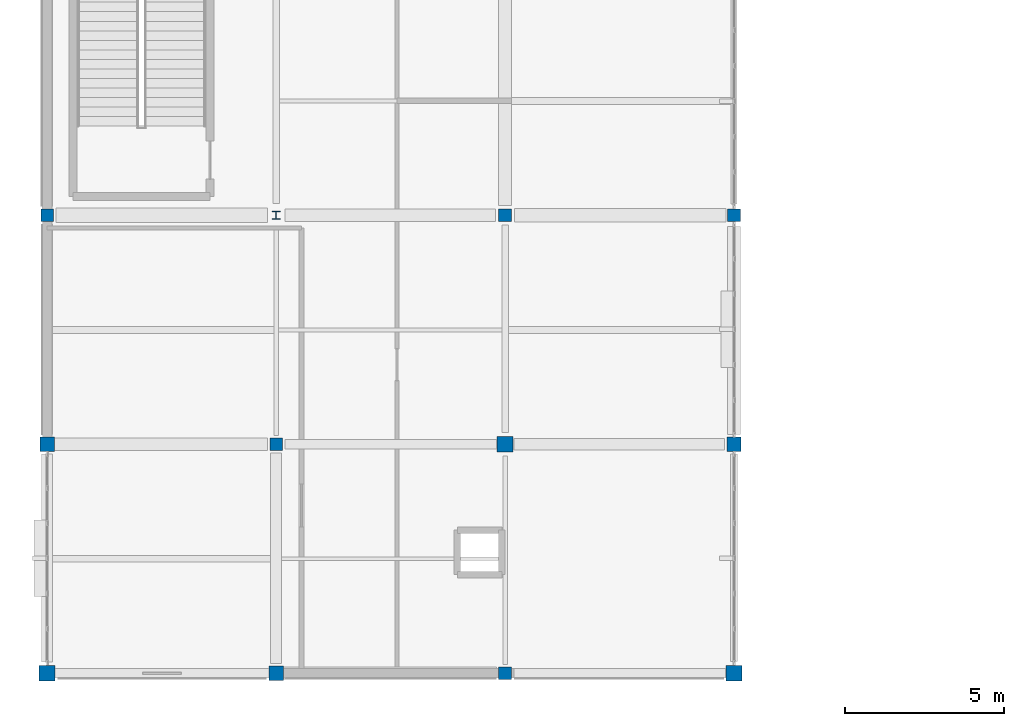
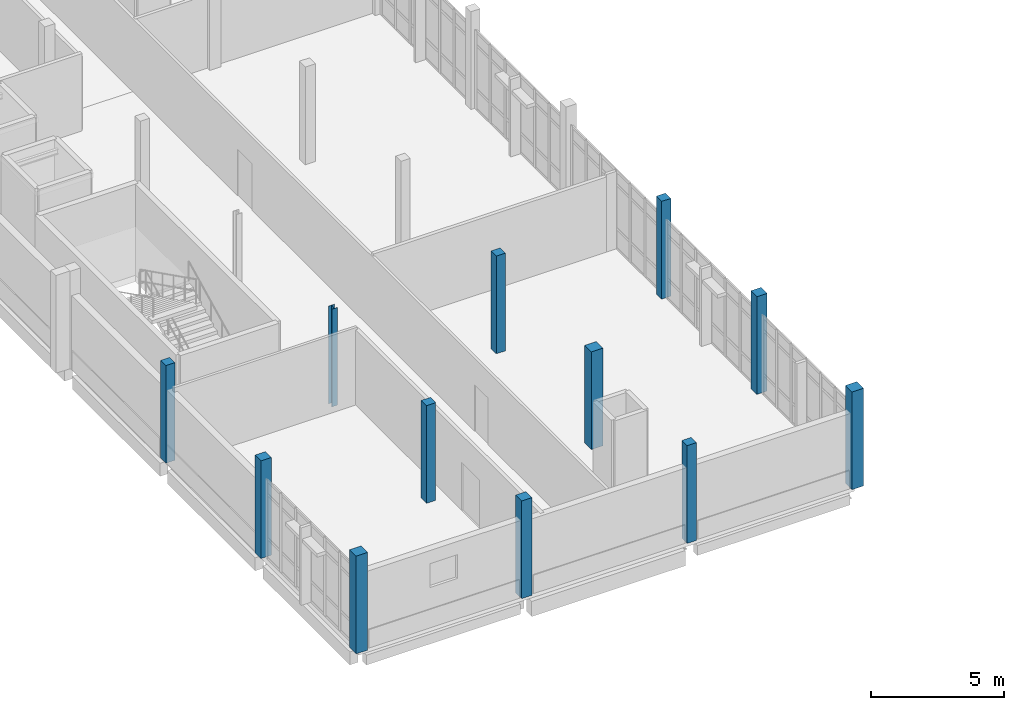
# One storey, part 1 of 62: 12 columns.
"""IFC4 building model written with IfcOpenShell, lengths in metres."""

from ifc_helpers import new_model, si_unit, direction, frame, origin, origin_2d, place, context, subcontext, project, spatial, rectangle, i_section, extrude, material, material_profile, profile_set, type_object, element, save


model = new_model("IFC4")

# Units and contexts
model_context = context("Model", 3, precision=1e-05, world=origin(), true_north=direction((0.0, 1.0)))
body_context = subcontext(model_context, "Body", "Model", "MODEL_VIEW")
ifc_project = project(units=[si_unit("LENGTHUNIT", "METRE"), si_unit("AREAUNIT", "SQUARE_METRE"), si_unit("VOLUMEUNIT", "CUBIC_METRE"), si_unit("PLANEANGLEUNIT", "RADIAN"), si_unit("MASSUNIT", "GRAM", prefix="KILO")], contexts=[model_context])

# Site, building, storey
site_placement = place(None, origin())
site = spatial("IfcSite", under=ifc_project, at=site_placement, CompositionType="ELEMENT")
building_placement = place(site_placement, origin())
building = spatial("IfcBuilding", under=site, at=building_placement, Name="Kalluvel Institute of Natural Sciences", CompositionType="ELEMENT")
storey_placement = place(building_placement, frame((0.0, 0.0, 27.89990234375)))
storey = spatial("IfcBuildingStorey", under=building, at=storey_placement, Name="L06", CompositionType="ELEMENT", Elevation=27.89990234375)

# Columns
ifc_material_1 = material(Name="Steel E350 Grade 350", Category="steel")
ifc_material_profile_1 = material_profile(ifc_material_1, i_section(OverallWidth=0.25, OverallDepth=0.25, WebThickness=0.0087890625, FlangeThickness=0.009765625, FilletRadius=0.010009765625, at=origin_2d()), Name="ISHB 250")
ifc_profile_set_1 = profile_set([ifc_material_profile_1], Name="Steel E350 Grade 350")
column_type_1 = type_object("IfcColumnType", Name="COL-ISHB250", PredefinedType="COLUMN", material=ifc_profile_set_1)
column_placement = place(storey_placement, frame((21.199951171875, 42.800048828125, 0.0), z_axis=(0.0, 0.0, 1.0), x_axis=(1.0, 0.0, 0.0)))
element("IfcColumn", 1, at=column_placement, inside=storey, type_object=column_type_1, Name="L06 structural column COL-L06-X212-Y428", PredefinedType="COLUMN", context=body_context, shape_type="SweptSolid", body=[
    extrude(i_section(OverallWidth=0.25, OverallDepth=0.25, WebThickness=0.0087890625, FlangeThickness=0.009765625, FilletRadius=0.010009765625, at=origin_2d()), origin(), (0.0, 0.0, 1.0), 4.5),
])
ifc_material_2 = material(Name="Concrete M40", Category="concrete")
ifc_material_profile_2 = material_profile(ifc_material_2, rectangle(XDim=0.39990234375, YDim=0.39990234375, at=origin_2d()), Name="RC 400x400")
ifc_profile_set_2 = profile_set([ifc_material_profile_2], Name="Concrete M40")
column_type_2 = type_object("IfcColumnType", Name="COL-RC400", PredefinedType="COLUMN", material=ifc_profile_set_2)
for number, where, z_axis, x_axis, name in (
    (2, (14.0, 42.800048828125, 0.0), (0.0, 0.0, 1.0), (1.0, 0.0, 0.0), "L06 structural column COL-L06-X140-Y428"),
    (3, (21.199951171875, 35.60009765625, 0.0), (0.0, 0.0, 1.0), (1.0, 0.0, 0.0), "L06 structural column COL-L06-X212-Y356"),
    (4, (28.39990234375, 28.39990234375, 0.0), (0.0, 0.0, 1.0), (1.0, 0.0, 0.0), "L06 structural column COL-L06-X284-Y284"),
    (5, (28.39990234375, 42.800048828125, 0.0), (0.0, 0.0, 1.0), (1.0, 0.0, 0.0), "L06 structural column COL-L06-X284-Y428"),
    (6, (35.60009765625, 42.800048828125, 0.0), (0.0, 0.0, 1.0), (1.0, 0.0, 0.0), "L06 structural column COL-L06-X356-Y428"),
):
    element("IfcColumn", number, at=place(storey_placement, frame(where, z_axis=z_axis, x_axis=x_axis)), inside=storey, type_object=column_type_2, Name=name, PredefinedType="COLUMN", context=body_context, shape_type="SweptSolid", body=[
        extrude(rectangle(XDim=0.39990234375, YDim=0.39990234375, at=origin_2d()), origin(), (0.0, 0.0, 1.0), 4.5),
    ])
ifc_material_profile_3 = material_profile(ifc_material_2, rectangle(XDim=0.449951171875, YDim=0.449951171875, at=origin_2d()), Name="RC 450x450")
ifc_profile_set_3 = profile_set([ifc_material_profile_3], Name="Concrete M40")
column_type_3 = type_object("IfcColumnType", Name="COL-RC450", PredefinedType="COLUMN", material=ifc_profile_set_3)
for number, where, z_axis, x_axis, name in (
    (7, (14.0, 35.60009765625, 0.0), (0.0, 0.0, 1.0), (1.0, 0.0, 0.0), "L06 structural column COL-L06-X140-Y356"),
    (8, (21.199951171875, 28.39990234375, 0.0), (0.0, 0.0, 1.0), (1.0, 0.0, 0.0), "L06 structural column COL-L06-X212-Y284"),
    (9, (35.60009765625, 35.60009765625, 0.0), (0.0, 0.0, 1.0), (1.0, 0.0, 0.0), "L06 structural column COL-L06-X356-Y356"),
):
    element("IfcColumn", number, at=place(storey_placement, frame(where, z_axis=z_axis, x_axis=x_axis)), inside=storey, type_object=column_type_3, Name=name, PredefinedType="COLUMN", context=body_context, shape_type="SweptSolid", body=[
        extrude(rectangle(XDim=0.449951171875, YDim=0.449951171875, at=origin_2d()), origin(), (0.0, 0.0, 1.0), 4.5),
    ])
ifc_material_profile_4 = material_profile(ifc_material_2, rectangle(XDim=0.5, YDim=0.5, at=origin_2d()), Name="RC 500x500")
ifc_profile_set_4 = profile_set([ifc_material_profile_4], Name="Concrete M40")
column_type_4 = type_object("IfcColumnType", Name="COL-RC500", PredefinedType="COLUMN", material=ifc_profile_set_4)
for number, where, z_axis, x_axis, name in (
    (10, (14.0, 28.39990234375, 0.0), (0.0, 0.0, 1.0), (1.0, 0.0, 0.0), "L06 structural column COL-L06-X140-Y284"),
    (11, (28.39990234375, 35.60009765625, 0.0), (0.0, 0.0, 1.0), (1.0, 0.0, 0.0), "L06 structural column COL-L06-X284-Y356"),
    (12, (35.60009765625, 28.39990234375, 0.0), (0.0, 0.0, 1.0), (1.0, 0.0, 0.0), "L06 structural column COL-L06-X356-Y284"),
):
    element("IfcColumn", number, at=place(storey_placement, frame(where, z_axis=z_axis, x_axis=x_axis)), inside=storey, type_object=column_type_4, Name=name, PredefinedType="COLUMN", context=body_context, shape_type="SweptSolid", body=[
        extrude(rectangle(XDim=0.5, YDim=0.5, at=origin_2d()), origin(), (0.0, 0.0, 1.0), 4.5),
    ])

save(model, "model.ifc")
